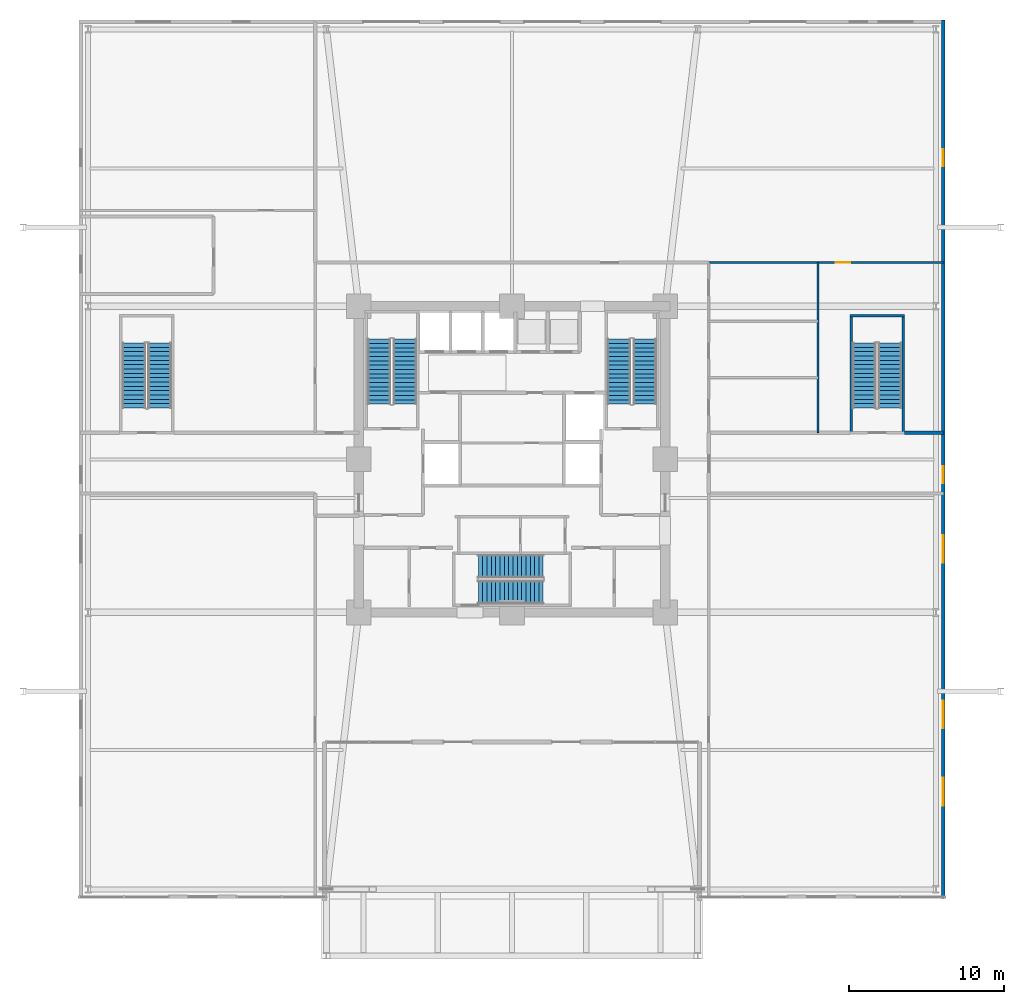
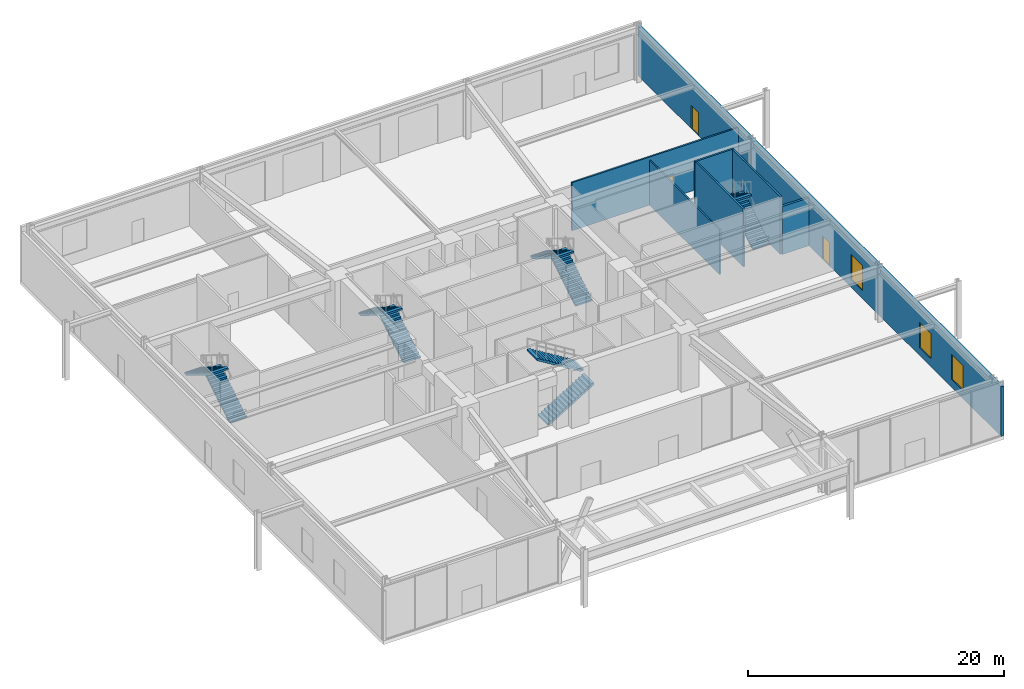
# One storey, part 21 of 24: 10 stair flights, 7 walls, 3 doors, 3 windows, 6 openings, 5 elements without a shape of their own.
"""IFC4 building model written with IfcOpenShell, lengths in metres."""

from ifc_helpers import new_model, si_unit, direction, frame, frame_2d, origin, place, context, subcontext, project, spatial, polyline, rectangle, outline, extrude, material, layer, layer_set, type_object, element, fill, aggregate, save


model = new_model("IFC4")

# Units and contexts
model_context = context("Model", 3, precision=1e-05, world=origin(), true_north=direction((0.0, 1.0)))
body_context = subcontext(model_context, "Body", "Model", "MODEL_VIEW")
ifc_project = project(units=[si_unit("LENGTHUNIT", "METRE"), si_unit("AREAUNIT", "SQUARE_METRE"), si_unit("VOLUMEUNIT", "CUBIC_METRE"), si_unit("PLANEANGLEUNIT", "RADIAN"), si_unit("MASSUNIT", "GRAM", prefix="KILO")], contexts=[model_context])

# Site, building, storey
site_placement = place(None, origin())
site = spatial("IfcSite", under=ifc_project, at=site_placement, CompositionType="ELEMENT")
building_placement = place(site_placement, origin())
building = spatial("IfcBuilding", under=site, at=building_placement, Name="Kolvaren Belvedere", CompositionType="ELEMENT")
storey_placement = place(building_placement, origin())
storey = spatial("IfcBuildingStorey", under=building, at=storey_placement, Name="L01", CompositionType="ELEMENT", Elevation=0.0)

# Walls
ifc_material_1 = material(Name="Concrete C50/60", Category="concrete")
ifc_layer_1 = layer(ifc_material_1, 0.159912109375)
ifc_layer_set_1 = layer_set([ifc_layer_1], Name="Concrete C50/60")
wall_type_1 = type_object("IfcWallType", Name="CW-STAIR-160", PredefinedType="SHEAR", material=ifc_layer_set_1)
wall_1_placement = place(storey_placement, frame((21.85009765625, 9.280029296875, 0.0), z_axis=(0.0, 0.0, 1.0), x_axis=(1.0, 0.0, 0.0)))
element("IfcWall", 1, at=wall_1_placement, inside=storey, type_object=wall_type_1, Name="L01 Stair ST-P2 North Shear Wall", PredefinedType="SHEAR", context=body_context, shape_type="SweptSolid", body=[
    extrude(rectangle(XDim=3.510009765625, YDim=0.159912109375, at=frame_2d((1.7548828125, 0.0))), origin(), (0.0, 0.0, 1.0), 5.5),
])
for number, where, z_axis, x_axis, name in (
    (2, (21.929931640625, 1.719970703125, 0.0), (0.0, 0.0, 1.0), (0.0, 1.0, 0.0), "L01 Stair ST-P2 West Shear Wall"),
    (3, (25.280029296875, 1.719970703125, 0.0), (0.0, 0.0, 1.0), (0.0, 1.0, 0.0), "L01 Stair ST-P2 East Shear Wall"),
):
    element("IfcWall", number, at=place(storey_placement, frame(where, z_axis=z_axis, x_axis=x_axis)), inside=storey, type_object=wall_type_1, Name=name, PredefinedType="SHEAR", context=body_context, shape_type="SweptSolid", body=[
        extrude(rectangle(XDim=7.56005859375, YDim=0.159912109375, at=frame_2d((3.780029296875, 0.0))), origin(), (0.0, 0.0, 1.0), 5.5),
    ])

# Wall, openings, doors, windows
ifc_material_2 = material(Name="Insulated pale-metal facade wall assembly", Category="aluminium")
ifc_layer_2 = layer(ifc_material_2, 0.239990234375)
ifc_layer_set_2 = layer_set([ifc_layer_2], Name="Insulated pale-metal facade wall assembly")
wall_type_2 = type_object("IfcWallType", Name="WL-EXT-240", PredefinedType="STANDARD", material=ifc_layer_set_2)
wall_2_placement = place(storey_placement, frame((27.8798828125, 28.39990234375, 0.0), z_axis=(0.0, 0.0, 1.0), x_axis=(0.0, -1.0, 0.0)))
wall_2 = element("IfcWall", 4, at=wall_2_placement, inside=storey, type_object=wall_type_2, Name="L01 East Street Facade Wall", PredefinedType="STANDARD", context=body_context, shape_type="SweptSolid", body=[
    extrude(rectangle(XDim=56.7998046875, YDim=0.239990234375, at=frame_2d((28.39990234375, 0.0))), origin(), (0.0, 0.0, 1.0), 4.748046875),
])
opening_1_placement = place(wall_2_placement, frame((28.85009765625, 0.0, 0.0)))
opening_1 = element("IfcOpeningElement", 5, at=opening_1_placement, cuts=wall_2, Name="Opening DEX-1100", PredefinedType="OPENING", context=body_context, shape_type="SweptSolid", body=[
    extrude(rectangle(XDim=1.10009765625, YDim=2.199951171875, at=frame_2d((0.550048828125, 1.10009765625))), frame((0.0, 0.1298828125, 0.0), z_axis=(0.0, -1.0, 0.0), x_axis=(1.0, 0.0, 0.0)), (0.0, 0.0, 1.0), 0.260009765625),
])
opening_2_placement = place(wall_2_placement, frame((8.35009765625, 0.0, 0.0)))
opening_2 = element("IfcOpeningElement", 6, at=opening_2_placement, cuts=wall_2, Name="Opening DEX-1100", PredefinedType="OPENING", context=body_context, shape_type="SweptSolid", body=[
    extrude(rectangle(XDim=1.10009765625, YDim=2.199951171875, at=frame_2d((0.550048828125, 1.10009765625))), frame((0.0, 0.1298828125, 0.0), z_axis=(0.0, -1.0, 0.0), x_axis=(1.0, 0.0, 0.0)), (0.0, 0.0, 1.0), 0.260009765625),
])
opening_3_placement = place(wall_2_placement, frame((33.300048828125, 0.0, 0.75)))
opening_3 = element("IfcOpeningElement", 7, at=opening_3_placement, cuts=wall_2, Name="Opening W-1800", PredefinedType="OPENING", context=body_context, shape_type="SweptSolid", body=[
    extrude(rectangle(XDim=1.800048828125, YDim=2.39990234375, at=frame_2d((0.89990234375, 1.199951171875))), frame((0.0, 0.1298828125, 0.0), z_axis=(0.0, -1.0, 0.0), x_axis=(1.0, 0.0, 0.0)), (0.0, 0.0, 1.0), 0.260009765625),
])
opening_4_placement = place(wall_2_placement, frame((44.0, 0.0, 0.75)))
opening_4 = element("IfcOpeningElement", 8, at=opening_4_placement, cuts=wall_2, Name="Opening W-1800", PredefinedType="OPENING", context=body_context, shape_type="SweptSolid", body=[
    extrude(rectangle(XDim=1.800048828125, YDim=2.39990234375, at=frame_2d((0.89990234375, 1.199951171875))), frame((0.0, 0.1298828125, 0.0), z_axis=(0.0, -1.0, 0.0), x_axis=(1.0, 0.0, 0.0)), (0.0, 0.0, 1.0), 0.260009765625),
])
opening_5_placement = place(wall_2_placement, frame((49.0, 0.0, 0.75)))
opening_5 = element("IfcOpeningElement", 9, at=opening_5_placement, cuts=wall_2, Name="Opening W-1800", PredefinedType="OPENING", context=body_context, shape_type="SweptSolid", body=[
    extrude(rectangle(XDim=1.800048828125, YDim=2.39990234375, at=frame_2d((0.89990234375, 1.199951171875))), frame((0.0, 0.1298828125, 0.0), z_axis=(0.0, -1.0, 0.0), x_axis=(1.0, 0.0, 0.0)), (0.0, 0.0, 1.0), 0.260009765625),
])
ifc_material_3 = material(Name="Insulated hollow stainless-steel fire exit door", Category="steel")
door_type_1 = type_object("IfcDoorType", Name="DR-EXIT-1100", OperationType="NOTDEFINED", PredefinedType="DOOR", material=ifc_material_3)
door_1_placement = place(opening_1_placement, origin())
door_1 = element("IfcDoor", 10, at=door_1_placement, inside=storey, type_object=door_type_1, Name="L01 East Protected Exit Passage Discharge Door", OperationType="SINGLE_SWING_RIGHT", OverallHeight=2.199951171875, OverallWidth=1.10009765625, PredefinedType="DOOR", context=body_context, shape_type="SweptSolid", body=[
    extrude(rectangle(XDim=1.10009765625, YDim=2.199951171875, at=frame_2d((0.550048828125, 1.10009765625))), frame((0.0, 0.02490234375, 0.0), z_axis=(0.0, -1.0, 0.0), x_axis=(1.0, 0.0, 0.0)), (0.0, 0.0, 1.0), 0.050048828125),
])
fill(opening_1, door_1)
door_2_placement = place(opening_2_placement, origin())
door_2 = element("IfcDoor", 11, at=door_2_placement, inside=storey, type_object=door_type_1, Name="L01 North-East Service Street Exit Door", OperationType="SINGLE_SWING_LEFT", OverallHeight=2.199951171875, OverallWidth=1.10009765625, PredefinedType="DOOR", context=body_context, shape_type="SweptSolid", body=[
    extrude(rectangle(XDim=1.10009765625, YDim=2.199951171875, at=frame_2d((0.550048828125, 1.10009765625))), frame((0.0, 0.02490234375, 0.0), z_axis=(0.0, -1.0, 0.0), x_axis=(1.0, 0.0, 0.0)), (0.0, 0.0, 1.0), 0.050048828125),
])
fill(opening_2, door_2)
ifc_material_4 = material(Name="Low-iron triple insulated glass", Category="glass")
window_type = type_object("IfcWindowType", Name="WN-POD-1800", PartitioningType="SINGLE_PANEL", PredefinedType="WINDOW", material=ifc_material_4)
window_1_placement = place(opening_3_placement, origin())
window_1 = element("IfcWindow", 12, at=window_1_placement, inside=storey, type_object=window_type, Name="L01 East Street Storefront Window 1", OverallHeight=2.39990234375, OverallWidth=1.800048828125, PartitioningType="SINGLE_PANEL", PredefinedType="WINDOW", context=body_context, shape_type="SweptSolid", body=[
    extrude(rectangle(XDim=1.800048828125, YDim=2.39990234375, at=frame_2d((0.89990234375, 1.199951171875))), frame((0.0, 0.030029296875, 0.0), z_axis=(0.0, -1.0, 0.0), x_axis=(1.0, 0.0, 0.0)), (0.0, 0.0, 1.0), 0.06005859375),
])
fill(opening_3, window_1)
window_2_placement = place(opening_4_placement, origin())
window_2 = element("IfcWindow", 13, at=window_2_placement, inside=storey, type_object=window_type, Name="L01 East Street Storefront Window 2", OverallHeight=2.39990234375, OverallWidth=1.800048828125, PartitioningType="SINGLE_PANEL", PredefinedType="WINDOW", context=body_context, shape_type="SweptSolid", body=[
    extrude(rectangle(XDim=1.800048828125, YDim=2.39990234375, at=frame_2d((0.89990234375, 1.199951171875))), frame((0.0, 0.030029296875, 0.0), z_axis=(0.0, -1.0, 0.0), x_axis=(1.0, 0.0, 0.0)), (0.0, 0.0, 1.0), 0.06005859375),
])
fill(opening_4, window_2)
window_3_placement = place(opening_5_placement, origin())
window_3 = element("IfcWindow", 14, at=window_3_placement, inside=storey, type_object=window_type, Name="L01 East Street Storefront Window 3", OverallHeight=2.39990234375, OverallWidth=1.800048828125, PartitioningType="SINGLE_PANEL", PredefinedType="WINDOW", context=body_context, shape_type="SweptSolid", body=[
    extrude(rectangle(XDim=1.800048828125, YDim=2.39990234375, at=frame_2d((0.89990234375, 1.199951171875))), frame((0.0, 0.030029296875, 0.0), z_axis=(0.0, -1.0, 0.0), x_axis=(1.0, 0.0, 0.0)), (0.0, 0.0, 1.0), 0.06005859375),
])
fill(opening_5, window_3)

# Wall, opening, door
ifc_material_5 = material(Name="Gypsum acoustic partition assembly", Category="gypsum")
ifc_layer_3 = layer(ifc_material_5, 0.14990234375)
ifc_layer_set_3 = layer_set([ifc_layer_3], Name="Gypsum acoustic partition assembly")
wall_type_3 = type_object("IfcWallType", Name="WL-PART-150", PredefinedType="PARTITIONING", material=ifc_layer_set_3)
wall_3_placement = place(storey_placement, frame((12.719970703125, 12.719970703125, 0.0), z_axis=(0.0, 0.0, 1.0), x_axis=(1.0, 0.0, 0.0)))
wall_3 = element("IfcWall", 15, at=wall_3_placement, inside=storey, type_object=wall_type_3, Name="L01 East Wing North Wall", PredefinedType="PARTITIONING", context=body_context, shape_type="SweptSolid", body=[
    extrude(rectangle(XDim=15.159912109375, YDim=0.14990234375, at=frame_2d((7.580078125, 0.0))), origin(), (0.0, 0.0, 1.0), 4.589111328125),
])
opening_6_placement = place(wall_3_placement, frame((8.199951171875, 0.0, 0.0)))
opening_6 = element("IfcOpeningElement", 16, at=opening_6_placement, cuts=wall_3, Name="Opening D-INT95", PredefinedType="OPENING", context=body_context, shape_type="SweptSolid", body=[
    extrude(rectangle(XDim=0.949951171875, YDim=2.06005859375, at=frame_2d((0.47509765625, 1.030029296875))), frame((0.0, 0.0849609375, 0.0), z_axis=(0.0, -1.0, 0.0), x_axis=(1.0, 0.0, 0.0)), (0.0, 0.0, 1.0), 0.169921875),
])
ifc_material_6 = material(Name="Stained Pacific white oak", Category="timber")
door_type_2 = type_object("IfcDoorType", Name="DR-INT-950", OperationType="NOTDEFINED", PredefinedType="DOOR", material=ifc_material_6)
door_3_placement = place(opening_6_placement, origin())
door_3 = element("IfcDoor", 17, at=door_3_placement, inside=storey, type_object=door_type_2, Name="L01 Valet Room Door", OperationType="SINGLE_SWING_LEFT", OverallHeight=2.06005859375, OverallWidth=0.949951171875, PredefinedType="DOOR", context=body_context, shape_type="SweptSolid", body=[
    extrude(rectangle(XDim=0.949951171875, YDim=2.06005859375, at=frame_2d((0.47509765625, 1.030029296875))), frame((0.0, 0.02490234375, 0.0), z_axis=(0.0, -1.0, 0.0), x_axis=(1.0, 0.0, 0.0)), (0.0, 0.0, 1.0), 0.050048828125),
])
fill(opening_6, door_3)

# Walls
ifc_material_7 = material(Name="Concrete C50/60", Category="concrete")
ifc_layer_4 = layer(ifc_material_7, 0.199951171875)
ifc_layer_set_4 = layer_set([ifc_layer_4], Name="Concrete C50/60")
wall_type_4 = type_object("IfcWallType", Name="WL-SHAFT-200", PredefinedType="SOLIDWALL", material=ifc_layer_set_4)
wall_4_placement = place(storey_placement, frame((25.360107421875, 1.719970703125, 0.0), z_axis=(0.0, 0.0, 1.0), x_axis=(1.0, 0.0, 0.0)))
element("IfcWall", 18, at=wall_4_placement, inside=storey, type_object=wall_type_4, Name="L01 East Exit Passage North Outer Wall", PredefinedType="SOLIDWALL", context=body_context, shape_type="SweptSolid", body=[
    extrude(rectangle(XDim=2.519775390625, YDim=0.199951171875, at=frame_2d((1.259765625, 0.0))), origin(), (0.0, 0.0, 1.0), 4.589111328125),
])
ifc_material_8 = material(Name="Moisture-resistant gypsum partition", Category="gypsum")
ifc_layer_5 = layer(ifc_material_8, 0.125)
ifc_layer_set_5 = layer_set([ifc_layer_5], Name="Moisture-resistant gypsum partition")
wall_type_5 = type_object("IfcWallType", Name="WL-WET-125", PredefinedType="PARTITIONING", material=ifc_layer_set_5)
wall_5_placement = place(storey_placement, frame((19.780029296875, 1.719970703125, 0.0), z_axis=(0.0, 0.0, 1.0), x_axis=(0.0, 1.0, 0.0)))
element("IfcWall", 19, at=wall_5_placement, inside=storey, type_object=wall_type_5, Name="L01 Washrooms East Wall", PredefinedType="PARTITIONING", context=body_context, shape_type="SweptSolid", body=[
    extrude(rectangle(XDim=11.0, YDim=0.125, at=frame_2d((5.5, 0.0))), origin(), (0.0, 0.0, 1.0), 4.278076171875),
])

# Stair, stair flights
ifc_material_9 = material(Name="Concrete C50/60", Category="concrete")
stair_type_1 = type_object("IfcStairType", Name="ST-CORE-1520", PredefinedType="HALF_TURN_STAIR", material=ifc_material_9)
stair_1_placement = place(storey_placement, origin())
stair_1 = element("IfcStair", 20, at=stair_1_placement, inside=storey, type_object=stair_type_1, Name="L01 Protected Exit Stair ST-1", PredefinedType="HALF_TURN_STAIR")
ifc_material_10 = material(Name="Concrete C50/60", Category="concrete")
stair_flight_type = type_object("IfcStairFlightType", Name="SF-STR-1520", PredefinedType="STRAIGHT", material=ifc_material_10)
stair_flight_1_placement = place(storey_placement, frame((-6.919921875, 3.570068359375, 0.0), z_axis=(0.0, 0.0, 1.0), x_axis=(0.0, 1.0, 0.0)))
stair_flight_1 = element("IfcStairFlight", 21, at=stair_flight_1_placement, type_object=stair_flight_type, Name="ST-1 flight 1", NumberOfRisers=16, NumberOfTreads=15, PredefinedType="STRAIGHT", RiserHeight=0.171875, TreadLength=0.28, context=body_context, shape_type="SweptSolid", body=[
    extrude(outline(polyline([(0.0, 0.0), (0.0, 0.171875), (0.280029296875, 0.171875), (0.280029296875, 0.34375), (0.56005859375, 0.34375), (0.56005859375, 0.515625), (0.840087890625, 0.515625), (0.840087890625, 0.6875), (1.1201171875, 0.6875), (1.1201171875, 0.859375), (1.39990234375, 0.859375), (1.39990234375, 1.03125), (1.679931640625, 1.03125), (1.679931640625, 1.203125), (1.9599609375, 1.203125), (1.9599609375, 1.375), (2.239990234375, 1.375), (2.239990234375, 1.546875), (2.52001953125, 1.546875), (2.52001953125, 1.71875), (2.800048828125, 1.71875), (2.800048828125, 1.890625), (3.080078125, 1.890625), (3.080078125, 2.0625), (3.360107421875, 2.0625), (3.360107421875, 2.234375), (3.639892578125, 2.234375), (3.639892578125, 2.40625), (3.919921875, 2.40625), (3.919921875, 2.578125), (4.199951171875, 2.578125), (4.199951171875, 2.75), (4.199951171875, 2.40234375), (0.28662109375, 0.0), (0.0, 0.0)])), frame((0.0, 0.760009765625, 0.0), z_axis=(0.0, -1.0, 0.0), x_axis=(1.0, 0.0, 0.0)), (0.0, 0.0, 1.0), 1.52001953125),
])
stair_flight_2_placement = place(storey_placement, frame((-8.590087890625, 7.77001953125, 2.75), z_axis=(0.0, 0.0, 1.0), x_axis=(0.0, -1.0, 0.0)))
stair_flight_2 = element("IfcStairFlight", 22, at=stair_flight_2_placement, type_object=stair_flight_type, Name="ST-1 flight 2", NumberOfRisers=16, NumberOfTreads=15, PredefinedType="STRAIGHT", RiserHeight=0.171875, TreadLength=0.28, context=body_context, shape_type="SweptSolid", body=[
    extrude(outline(polyline([(0.0, 0.0), (0.0, 0.171875), (0.280029296875, 0.171875), (0.280029296875, 0.34375), (0.56005859375, 0.34375), (0.56005859375, 0.515625), (0.840087890625, 0.515625), (0.840087890625, 0.6875), (1.1201171875, 0.6875), (1.1201171875, 0.859375), (1.39990234375, 0.859375), (1.39990234375, 1.03125), (1.679931640625, 1.03125), (1.679931640625, 1.203125), (1.9599609375, 1.203125), (1.9599609375, 1.375), (2.239990234375, 1.375), (2.239990234375, 1.546875), (2.52001953125, 1.546875), (2.52001953125, 1.71875), (2.800048828125, 1.71875), (2.800048828125, 1.890625), (3.080078125, 1.890625), (3.080078125, 2.0625), (3.360107421875, 2.0625), (3.360107421875, 2.234375), (3.639892578125, 2.234375), (3.639892578125, 2.40625), (3.919921875, 2.40625), (3.919921875, 2.578125), (4.199951171875, 2.578125), (4.199951171875, 2.75), (4.199951171875, 2.40234375), (0.28662109375, 0.0), (0.0, 0.0)])), frame((0.0, 0.760009765625, 0.0), z_axis=(0.0, -1.0, 0.0), x_axis=(1.0, 0.0, 0.0)), (0.0, 0.0, 1.0), 1.52001953125),
])
aggregate(stair_1, [stair_flight_1, stair_flight_2])

stair_2_placement = place(storey_placement, origin())
stair_2 = element("IfcStair", 23, at=stair_2_placement, inside=storey, type_object=stair_type_1, Name="L01 Protected Exit Stair ST-2", PredefinedType="HALF_TURN_STAIR")
stair_flight_3_placement = place(storey_placement, frame((8.590087890625, 3.570068359375, 0.0), z_axis=(0.0, 0.0, 1.0), x_axis=(0.0, 1.0, 0.0)))
stair_flight_3 = element("IfcStairFlight", 24, at=stair_flight_3_placement, type_object=stair_flight_type, Name="ST-2 flight 1", NumberOfRisers=16, NumberOfTreads=15, PredefinedType="STRAIGHT", RiserHeight=0.171875, TreadLength=0.28, context=body_context, shape_type="SweptSolid", body=[
    extrude(outline(polyline([(0.0, 0.0), (0.0, 0.171875), (0.280029296875, 0.171875), (0.280029296875, 0.34375), (0.56005859375, 0.34375), (0.56005859375, 0.515625), (0.840087890625, 0.515625), (0.840087890625, 0.6875), (1.1201171875, 0.6875), (1.1201171875, 0.859375), (1.39990234375, 0.859375), (1.39990234375, 1.03125), (1.679931640625, 1.03125), (1.679931640625, 1.203125), (1.9599609375, 1.203125), (1.9599609375, 1.375), (2.239990234375, 1.375), (2.239990234375, 1.546875), (2.52001953125, 1.546875), (2.52001953125, 1.71875), (2.800048828125, 1.71875), (2.800048828125, 1.890625), (3.080078125, 1.890625), (3.080078125, 2.0625), (3.360107421875, 2.0625), (3.360107421875, 2.234375), (3.639892578125, 2.234375), (3.639892578125, 2.40625), (3.919921875, 2.40625), (3.919921875, 2.578125), (4.199951171875, 2.578125), (4.199951171875, 2.75), (4.199951171875, 2.40234375), (0.28662109375, 0.0), (0.0, 0.0)])), frame((0.0, 0.760009765625, 0.0), z_axis=(0.0, -1.0, 0.0), x_axis=(1.0, 0.0, 0.0)), (0.0, 0.0, 1.0), 1.52001953125),
])
stair_flight_4_placement = place(storey_placement, frame((6.919921875, 7.77001953125, 2.75), z_axis=(0.0, 0.0, 1.0), x_axis=(0.0, -1.0, 0.0)))
stair_flight_4 = element("IfcStairFlight", 25, at=stair_flight_4_placement, type_object=stair_flight_type, Name="ST-2 flight 2", NumberOfRisers=16, NumberOfTreads=15, PredefinedType="STRAIGHT", RiserHeight=0.171875, TreadLength=0.28, context=body_context, shape_type="SweptSolid", body=[
    extrude(outline(polyline([(0.0, 0.0), (0.0, 0.171875), (0.280029296875, 0.171875), (0.280029296875, 0.34375), (0.56005859375, 0.34375), (0.56005859375, 0.515625), (0.840087890625, 0.515625), (0.840087890625, 0.6875), (1.1201171875, 0.6875), (1.1201171875, 0.859375), (1.39990234375, 0.859375), (1.39990234375, 1.03125), (1.679931640625, 1.03125), (1.679931640625, 1.203125), (1.9599609375, 1.203125), (1.9599609375, 1.375), (2.239990234375, 1.375), (2.239990234375, 1.546875), (2.52001953125, 1.546875), (2.52001953125, 1.71875), (2.800048828125, 1.71875), (2.800048828125, 1.890625), (3.080078125, 1.890625), (3.080078125, 2.0625), (3.360107421875, 2.0625), (3.360107421875, 2.234375), (3.639892578125, 2.234375), (3.639892578125, 2.40625), (3.919921875, 2.40625), (3.919921875, 2.578125), (4.199951171875, 2.578125), (4.199951171875, 2.75), (4.199951171875, 2.40234375), (0.28662109375, 0.0), (0.0, 0.0)])), frame((0.0, 0.760009765625, 0.0), z_axis=(0.0, -1.0, 0.0), x_axis=(1.0, 0.0, 0.0)), (0.0, 0.0, 1.0), 1.52001953125),
])
aggregate(stair_2, [stair_flight_3, stair_flight_4])

stair_3_placement = place(storey_placement, origin())
stair_3 = element("IfcStair", 26, at=stair_3_placement, inside=storey, type_object=stair_type_1, Name="L01 Protected Exit Stair ST-3", PredefinedType="HALF_TURN_STAIR")
stair_flight_5_placement = place(storey_placement, frame((-2.179931640625, -8.590087890625, 0.0), z_axis=(0.0, 0.0, 1.0), x_axis=(1.0, 0.0, 0.0)))
stair_flight_5 = element("IfcStairFlight", 27, at=stair_flight_5_placement, type_object=stair_flight_type, Name="ST-3 flight 1", NumberOfRisers=16, NumberOfTreads=15, PredefinedType="STRAIGHT", RiserHeight=0.171875, TreadLength=0.28, context=body_context, shape_type="SweptSolid", body=[
    extrude(outline(polyline([(0.0, 0.0), (0.0, 0.171875), (0.280029296875, 0.171875), (0.280029296875, 0.34375), (0.56005859375, 0.34375), (0.56005859375, 0.515625), (0.840087890625, 0.515625), (0.840087890625, 0.6875), (1.1201171875, 0.6875), (1.1201171875, 0.859375), (1.39990234375, 0.859375), (1.39990234375, 1.03125), (1.679931640625, 1.03125), (1.679931640625, 1.203125), (1.9599609375, 1.203125), (1.9599609375, 1.375), (2.239990234375, 1.375), (2.239990234375, 1.546875), (2.52001953125, 1.546875), (2.52001953125, 1.71875), (2.800048828125, 1.71875), (2.800048828125, 1.890625), (3.080078125, 1.890625), (3.080078125, 2.0625), (3.360107421875, 2.0625), (3.360107421875, 2.234375), (3.639892578125, 2.234375), (3.639892578125, 2.40625), (3.919921875, 2.40625), (3.919921875, 2.578125), (4.199951171875, 2.578125), (4.199951171875, 2.75), (4.199951171875, 2.40234375), (0.28662109375, 0.0), (0.0, 0.0)])), frame((0.0, 0.760009765625, 0.0), z_axis=(0.0, -1.0, 0.0), x_axis=(1.0, 0.0, 0.0)), (0.0, 0.0, 1.0), 1.52001953125),
])
stair_flight_6_placement = place(storey_placement, frame((2.02001953125, -6.919921875, 2.75), z_axis=(0.0, 0.0, 1.0), x_axis=(-1.0, 0.0, 0.0)))
stair_flight_6 = element("IfcStairFlight", 28, at=stair_flight_6_placement, type_object=stair_flight_type, Name="ST-3 flight 2", NumberOfRisers=16, NumberOfTreads=15, PredefinedType="STRAIGHT", RiserHeight=0.171875, TreadLength=0.28, context=body_context, shape_type="SweptSolid", body=[
    extrude(outline(polyline([(0.0, 0.0), (0.0, 0.171875), (0.280029296875, 0.171875), (0.280029296875, 0.34375), (0.56005859375, 0.34375), (0.56005859375, 0.515625), (0.840087890625, 0.515625), (0.840087890625, 0.6875), (1.1201171875, 0.6875), (1.1201171875, 0.859375), (1.39990234375, 0.859375), (1.39990234375, 1.03125), (1.679931640625, 1.03125), (1.679931640625, 1.203125), (1.9599609375, 1.203125), (1.9599609375, 1.375), (2.239990234375, 1.375), (2.239990234375, 1.546875), (2.52001953125, 1.546875), (2.52001953125, 1.71875), (2.800048828125, 1.71875), (2.800048828125, 1.890625), (3.080078125, 1.890625), (3.080078125, 2.0625), (3.360107421875, 2.0625), (3.360107421875, 2.234375), (3.639892578125, 2.234375), (3.639892578125, 2.40625), (3.919921875, 2.40625), (3.919921875, 2.578125), (4.199951171875, 2.578125), (4.199951171875, 2.75), (4.199951171875, 2.40234375), (0.28662109375, 0.0), (0.0, 0.0)])), frame((0.0, 0.760009765625, 0.0), z_axis=(0.0, -1.0, 0.0), x_axis=(1.0, 0.0, 0.0)), (0.0, 0.0, 1.0), 1.52001953125),
])
aggregate(stair_3, [stair_flight_5, stair_flight_6])

ifc_material_11 = material(Name="Concrete C50/60", Category="concrete")
stair_type_2 = type_object("IfcStairType", Name="ST-POD-1520", PredefinedType="HALF_TURN_STAIR", material=ifc_material_11)
stair_4_placement = place(storey_placement, origin())
stair_4 = element("IfcStair", 29, at=stair_4_placement, inside=storey, type_object=stair_type_2, Name="L01 Podium Exit Stair ST-P1", PredefinedType="HALF_TURN_STAIR")
stair_flight_7_placement = place(storey_placement, frame((-22.77001953125, 3.320068359375, 0.0), z_axis=(0.0, 0.0, 1.0), x_axis=(0.0, 1.0, 0.0)))
stair_flight_7 = element("IfcStairFlight", 30, at=stair_flight_7_placement, type_object=stair_flight_type, Name="ST-P1 flight 1", NumberOfRisers=16, NumberOfTreads=15, PredefinedType="STRAIGHT", RiserHeight=0.171875, TreadLength=0.28, context=body_context, shape_type="SweptSolid", body=[
    extrude(outline(polyline([(0.0, 0.0), (0.0, 0.171875), (0.280029296875, 0.171875), (0.280029296875, 0.34375), (0.56005859375, 0.34375), (0.56005859375, 0.515625), (0.840087890625, 0.515625), (0.840087890625, 0.6875), (1.1201171875, 0.6875), (1.1201171875, 0.859375), (1.39990234375, 0.859375), (1.39990234375, 1.03125), (1.679931640625, 1.03125), (1.679931640625, 1.203125), (1.9599609375, 1.203125), (1.9599609375, 1.375), (2.239990234375, 1.375), (2.239990234375, 1.546875), (2.52001953125, 1.546875), (2.52001953125, 1.71875), (2.800048828125, 1.71875), (2.800048828125, 1.890625), (3.080078125, 1.890625), (3.080078125, 2.0625), (3.360107421875, 2.0625), (3.360107421875, 2.234375), (3.639892578125, 2.234375), (3.639892578125, 2.40625), (3.919921875, 2.40625), (3.919921875, 2.578125), (4.199951171875, 2.578125), (4.199951171875, 2.75), (4.199951171875, 2.40234375), (0.28662109375, 0.0), (0.0, 0.0)])), frame((0.0, 0.760009765625, 0.0), z_axis=(0.0, -1.0, 0.0), x_axis=(1.0, 0.0, 0.0)), (0.0, 0.0, 1.0), 1.52001953125),
])
stair_flight_8_placement = place(storey_placement, frame((-24.43994140625, 7.52001953125, 2.75), z_axis=(0.0, 0.0, 1.0), x_axis=(0.0, -1.0, 0.0)))
stair_flight_8 = element("IfcStairFlight", 31, at=stair_flight_8_placement, type_object=stair_flight_type, Name="ST-P1 flight 2", NumberOfRisers=16, NumberOfTreads=15, PredefinedType="STRAIGHT", RiserHeight=0.171875, TreadLength=0.28, context=body_context, shape_type="SweptSolid", body=[
    extrude(outline(polyline([(0.0, 0.0), (0.0, 0.171875), (0.280029296875, 0.171875), (0.280029296875, 0.34375), (0.56005859375, 0.34375), (0.56005859375, 0.515625), (0.840087890625, 0.515625), (0.840087890625, 0.6875), (1.1201171875, 0.6875), (1.1201171875, 0.859375), (1.39990234375, 0.859375), (1.39990234375, 1.03125), (1.679931640625, 1.03125), (1.679931640625, 1.203125), (1.9599609375, 1.203125), (1.9599609375, 1.375), (2.239990234375, 1.375), (2.239990234375, 1.546875), (2.52001953125, 1.546875), (2.52001953125, 1.71875), (2.800048828125, 1.71875), (2.800048828125, 1.890625), (3.080078125, 1.890625), (3.080078125, 2.0625), (3.360107421875, 2.0625), (3.360107421875, 2.234375), (3.639892578125, 2.234375), (3.639892578125, 2.40625), (3.919921875, 2.40625), (3.919921875, 2.578125), (4.199951171875, 2.578125), (4.199951171875, 2.75), (4.199951171875, 2.40234375), (0.28662109375, 0.0), (0.0, 0.0)])), frame((0.0, 0.760009765625, 0.0), z_axis=(0.0, -1.0, 0.0), x_axis=(1.0, 0.0, 0.0)), (0.0, 0.0, 1.0), 1.52001953125),
])
aggregate(stair_4, [stair_flight_7, stair_flight_8])

stair_5_placement = place(storey_placement, origin())
stair_5 = element("IfcStair", 32, at=stair_5_placement, inside=storey, type_object=stair_type_2, Name="L01 Podium Exit Stair ST-P2", PredefinedType="HALF_TURN_STAIR")
stair_flight_9_placement = place(storey_placement, frame((24.43994140625, 3.320068359375, 0.0), z_axis=(0.0, 0.0, 1.0), x_axis=(0.0, 1.0, 0.0)))
stair_flight_9 = element("IfcStairFlight", 33, at=stair_flight_9_placement, type_object=stair_flight_type, Name="ST-P2 flight 1", NumberOfRisers=16, NumberOfTreads=15, PredefinedType="STRAIGHT", RiserHeight=0.171875, TreadLength=0.28, context=body_context, shape_type="SweptSolid", body=[
    extrude(outline(polyline([(0.0, 0.0), (0.0, 0.171875), (0.280029296875, 0.171875), (0.280029296875, 0.34375), (0.56005859375, 0.34375), (0.56005859375, 0.515625), (0.840087890625, 0.515625), (0.840087890625, 0.6875), (1.1201171875, 0.6875), (1.1201171875, 0.859375), (1.39990234375, 0.859375), (1.39990234375, 1.03125), (1.679931640625, 1.03125), (1.679931640625, 1.203125), (1.9599609375, 1.203125), (1.9599609375, 1.375), (2.239990234375, 1.375), (2.239990234375, 1.546875), (2.52001953125, 1.546875), (2.52001953125, 1.71875), (2.800048828125, 1.71875), (2.800048828125, 1.890625), (3.080078125, 1.890625), (3.080078125, 2.0625), (3.360107421875, 2.0625), (3.360107421875, 2.234375), (3.639892578125, 2.234375), (3.639892578125, 2.40625), (3.919921875, 2.40625), (3.919921875, 2.578125), (4.199951171875, 2.578125), (4.199951171875, 2.75), (4.199951171875, 2.40234375), (0.28662109375, 0.0), (0.0, 0.0)])), frame((0.0, 0.760009765625, 0.0), z_axis=(0.0, -1.0, 0.0), x_axis=(1.0, 0.0, 0.0)), (0.0, 0.0, 1.0), 1.52001953125),
])
stair_flight_10_placement = place(storey_placement, frame((22.77001953125, 7.52001953125, 2.75), z_axis=(0.0, 0.0, 1.0), x_axis=(0.0, -1.0, 0.0)))
stair_flight_10 = element("IfcStairFlight", 34, at=stair_flight_10_placement, type_object=stair_flight_type, Name="ST-P2 flight 2", NumberOfRisers=16, NumberOfTreads=15, PredefinedType="STRAIGHT", RiserHeight=0.171875, TreadLength=0.28, context=body_context, shape_type="SweptSolid", body=[
    extrude(outline(polyline([(0.0, 0.0), (0.0, 0.171875), (0.280029296875, 0.171875), (0.280029296875, 0.34375), (0.56005859375, 0.34375), (0.56005859375, 0.515625), (0.840087890625, 0.515625), (0.840087890625, 0.6875), (1.1201171875, 0.6875), (1.1201171875, 0.859375), (1.39990234375, 0.859375), (1.39990234375, 1.03125), (1.679931640625, 1.03125), (1.679931640625, 1.203125), (1.9599609375, 1.203125), (1.9599609375, 1.375), (2.239990234375, 1.375), (2.239990234375, 1.546875), (2.52001953125, 1.546875), (2.52001953125, 1.71875), (2.800048828125, 1.71875), (2.800048828125, 1.890625), (3.080078125, 1.890625), (3.080078125, 2.0625), (3.360107421875, 2.0625), (3.360107421875, 2.234375), (3.639892578125, 2.234375), (3.639892578125, 2.40625), (3.919921875, 2.40625), (3.919921875, 2.578125), (4.199951171875, 2.578125), (4.199951171875, 2.75), (4.199951171875, 2.40234375), (0.28662109375, 0.0), (0.0, 0.0)])), frame((0.0, 0.760009765625, 0.0), z_axis=(0.0, -1.0, 0.0), x_axis=(1.0, 0.0, 0.0)), (0.0, 0.0, 1.0), 1.52001953125),
])
aggregate(stair_5, [stair_flight_9, stair_flight_10])

save(model, "model.ifc")
